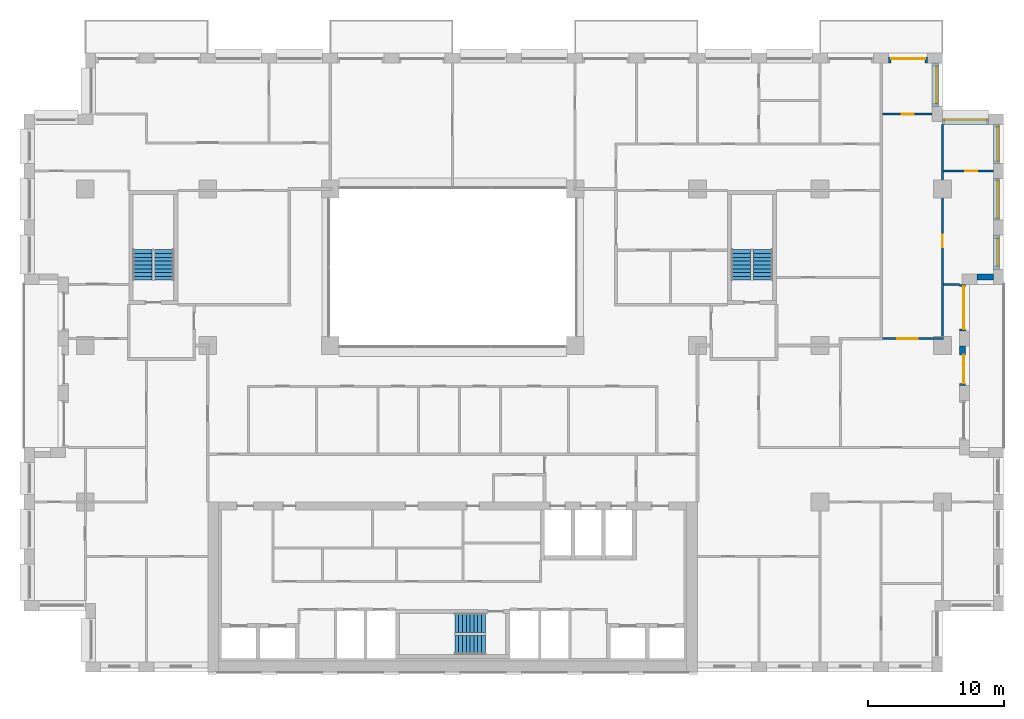
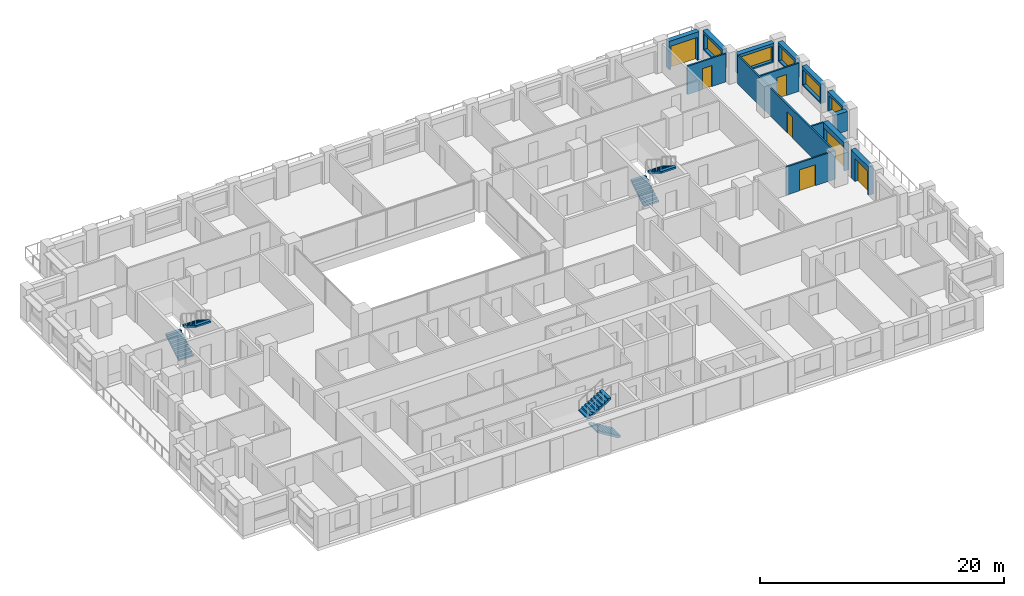
# One storey, part 15 of 16: 14 walls, 7 doors, 6 stair flights, 5 windows, 12 openings, 3 elements without a shape of their own.
"""IFC4 building model written with IfcOpenShell, lengths in metres."""

from ifc_helpers import new_model, si_unit, direction, frame, frame_2d, origin, place, context, subcontext, project, spatial, polyline, rectangle, outline, extrude, material, layer, layer_set, type_object, element, fill, aggregate, save


model = new_model("IFC4")

# Units and contexts
model_context = context("Model", 3, precision=1e-05, world=origin(), true_north=direction((0.0, 1.0)))
body_context = subcontext(model_context, "Body", "Model", "MODEL_VIEW")
ifc_project = project(units=[si_unit("LENGTHUNIT", "METRE"), si_unit("AREAUNIT", "SQUARE_METRE"), si_unit("VOLUMEUNIT", "CUBIC_METRE"), si_unit("PLANEANGLEUNIT", "RADIAN"), si_unit("MASSUNIT", "GRAM", prefix="KILO")], contexts=[model_context])

# Site, building, storey
site_placement = place(None, origin())
site = spatial("IfcSite", under=ifc_project, at=site_placement, CompositionType="ELEMENT")
building_placement = place(site_placement, origin())
building = spatial("IfcBuilding", under=site, at=building_placement, Name="Brigalow Station Residences", CompositionType="ELEMENT")
storey_placement = place(building_placement, frame((0.0, 0.0, 108.75)))
storey = spatial("IfcBuildingStorey", under=building, at=storey_placement, Name="L31", CompositionType="ELEMENT", Elevation=108.75)

# Wall, opening, door
ifc_material_1 = material(Name="Clay brick masonry", Category="masonry")
ifc_layer_1 = layer(ifc_material_1, 0.449951171875)
ifc_layer_set_1 = layer_set([ifc_layer_1], Name="BRICK INFILL WALL 450")
wall_type_1 = type_object("IfcWallType", Name="BRICK INFILL WALL 450", PredefinedType="SOLIDWALL", material=ifc_layer_set_1)
wall_1_placement = place(storey_placement, frame((73.47509765625, 21.050048828125, 0.0), z_axis=(0.0, 0.0, 1.0), x_axis=(0.0, 1.0, 0.0)))
wall_1 = element("IfcWall", 1, at=wall_1_placement, inside=storey, type_object=wall_type_1, Name="L31/ewall/W-L31-15", PredefinedType="SOLIDWALL", context=body_context, shape_type="SweptSolid", body=[
    extrude(rectangle(XDim=2.89990234375, YDim=0.449951171875, at=frame_2d((1.449951171875, 0.0))), origin(), (0.0, 0.0, 1.0), 2.830078125),
])
opening_1_placement = place(wall_1_placement, frame((0.1650390625, 0.0, 0.0)))
opening_1 = element("IfcOpeningElement", 2, at=opening_1_placement, cuts=wall_1, Name="Opening D-B2100", PredefinedType="OPENING", context=body_context, shape_type="SweptSolid", body=[
    extrude(rectangle(XDim=2.10009765625, YDim=2.300048828125, at=frame_2d((1.050048828125, 1.14990234375))), frame((0.0, 0.23486328125, 0.0), z_axis=(0.0, -1.0, 0.0), x_axis=(1.0, 0.0, 0.0)), (0.0, 0.0, 1.0), 0.469970703125),
])
ifc_material_2 = material(Name="Anodised aluminium frame with double glazing", Category="aluminium")
door_type_1 = type_object("IfcDoorType", Name="BALCONY SLIDING DOOR 2100x2300", OperationType="SLIDING_TO_LEFT", PredefinedType="DOOR", material=ifc_material_2)
door_1_placement = place(opening_1_placement, origin())
door_1 = element("IfcDoor", 3, at=door_1_placement, inside=storey, type_object=door_type_1, Name="L31/balcony-door/W-L31-15", OperationType="SLIDING_TO_LEFT", OverallHeight=2.300048828125, OverallWidth=2.10009765625, PredefinedType="DOOR", context=body_context, shape_type="SweptSolid", body=[
    extrude(rectangle(XDim=2.10009765625, YDim=2.300048828125, at=frame_2d((1.050048828125, 1.14990234375))), frame((0.0, -0.06982421875, 0.0), z_axis=(0.0, -1.0, 0.0), x_axis=(1.0, 0.0, 0.0)), (0.0, 0.0, 1.0), 0.050048828125),
])
fill(opening_1, door_1)

wall_2_placement = place(storey_placement, frame((73.47509765625, 25.050048828125, 0.0), z_axis=(0.0, 0.0, 1.0), x_axis=(0.0, 1.0, 0.0)))
wall_2 = element("IfcWall", 4, at=wall_2_placement, inside=storey, type_object=wall_type_1, Name="L31/ewall/W-L31-16", PredefinedType="SOLIDWALL", context=body_context, shape_type="SweptSolid", body=[
    extrude(rectangle(XDim=3.449951171875, YDim=0.449951171875, at=frame_2d((1.72509765625, 0.0))), origin(), (0.0, 0.0, 1.0), 2.830078125),
])
opening_2_placement = place(wall_2_placement, frame((0.14990234375, 0.0, 0.0)))
opening_2 = element("IfcOpeningElement", 5, at=opening_2_placement, cuts=wall_2, Name="Opening D-B3150", PredefinedType="OPENING", context=body_context, shape_type="SweptSolid", body=[
    extrude(rectangle(XDim=3.14990234375, YDim=2.300048828125, at=frame_2d((1.574951171875, 1.14990234375))), frame((0.0, 0.23486328125, 0.0), z_axis=(0.0, -1.0, 0.0), x_axis=(1.0, 0.0, 0.0)), (0.0, 0.0, 1.0), 0.469970703125),
])
ifc_material_3 = material(Name="Anodised aluminium frame with double glazing", Category="aluminium")
door_type_2 = type_object("IfcDoorType", Name="BALCONY SLIDING DOOR 3150x2300", OperationType="SLIDING_TO_LEFT", PredefinedType="DOOR", material=ifc_material_3)
door_2_placement = place(opening_2_placement, origin())
door_2 = element("IfcDoor", 6, at=door_2_placement, inside=storey, type_object=door_type_2, Name="L31/balcony-door/W-L31-16", OperationType="SLIDING_TO_LEFT", OverallHeight=2.300048828125, OverallWidth=3.14990234375, PredefinedType="DOOR", context=body_context, shape_type="SweptSolid", body=[
    extrude(rectangle(XDim=3.14990234375, YDim=2.300048828125, at=frame_2d((1.574951171875, 1.14990234375))), frame((0.0, -0.06982421875, 0.0), z_axis=(0.0, -1.0, 0.0), x_axis=(1.0, 0.0, 0.0)), (0.0, 0.0, 1.0), 0.050048828125),
])
fill(opening_2, door_2)

# Wall
wall_3_placement = place(storey_placement, frame((74.550048828125, 29.02490234375, 0.89990234375), z_axis=(0.0, 0.0, 1.0), x_axis=(1.0, 0.0, 0.0)))
element("IfcWall", 7, at=wall_3_placement, inside=storey, type_object=wall_type_1, Name="L31/ewall/W-L31-17", PredefinedType="SOLIDWALL", context=body_context, shape_type="SweptSolid", body=[
    extrude(rectangle(XDim=1.199951171875, YDim=0.449951171875, at=frame_2d((0.60009765625, 0.0))), origin(), (0.0, 0.0, 1.0), 1.93017578125),
])

# Wall, opening, window
wall_4_placement = place(storey_placement, frame((75.97509765625, 29.60009765625, 0.89990234375), z_axis=(0.0, 0.0, 1.0), x_axis=(0.0, 1.0, 0.0)))
wall_4 = element("IfcWall", 8, at=wall_4_placement, inside=storey, type_object=wall_type_1, Name="L31/ewall/W-L31-18", PredefinedType="SOLIDWALL", context=body_context, shape_type="SweptSolid", body=[
    extrude(rectangle(XDim=2.516845703125, YDim=0.449951171875, at=frame_2d((1.25830078125, 0.0))), origin(), (0.0, 0.0, 1.0), 1.93017578125),
])
opening_3_placement = place(wall_4_placement, frame((0.258544921875, 0.0, 0.14990234375)))
opening_3 = element("IfcOpeningElement", 9, at=opening_3_placement, cuts=wall_4, Name="Opening WT-7", PredefinedType="OPENING", context=body_context, shape_type="SweptSolid", body=[
    extrude(rectangle(XDim=2.0, YDim=1.5, at=frame_2d((1.0, 0.75))), frame((0.0, 0.23486328125, 0.0), z_axis=(0.0, -1.0, 0.0), x_axis=(1.0, 0.0, 0.0)), (0.0, 0.0, 1.0), 0.469970703125),
])
ifc_material_4 = material(Name="Anodised aluminium frame with double glazing", Category="aluminium")
window_type_1 = type_object("IfcWindowType", Name="WINDOW 2000x1500", PartitioningType="SINGLE_PANEL", PredefinedType="WINDOW", material=ifc_material_4)
window_1_placement = place(opening_3_placement, origin())
window_1 = element("IfcWindow", 10, at=window_1_placement, inside=storey, type_object=window_type_1, Name="L31/window/W-L31-18", OverallHeight=1.5, OverallWidth=2.0, PartitioningType="SINGLE_PANEL", PredefinedType="WINDOW", context=body_context, shape_type="SweptSolid", body=[
    extrude(rectangle(XDim=2.0, YDim=1.5, at=frame_2d((1.0, 0.75))), frame((0.0, -0.06494140625, 0.0), z_axis=(0.0, -1.0, 0.0), x_axis=(1.0, 0.0, 0.0)), (0.0, 0.0, 1.0), 0.06005859375),
])
fill(opening_3, window_1)

wall_5_placement = place(storey_placement, frame((75.97509765625, 33.217041015625, 0.89990234375), z_axis=(0.0, 0.0, 1.0), x_axis=(0.0, 1.0, 0.0)))
wall_5 = element("IfcWall", 11, at=wall_5_placement, inside=storey, type_object=wall_type_1, Name="L31/ewall/W-L31-19", PredefinedType="SOLIDWALL", context=body_context, shape_type="SweptSolid", body=[
    extrude(rectangle(XDim=3.06591796875, YDim=0.449951171875, at=frame_2d((1.532958984375, 0.0))), origin(), (0.0, 0.0, 1.0), 1.93017578125),
])
opening_4_placement = place(wall_5_placement, frame((0.157958984375, 0.0, 0.14990234375)))
opening_4 = element("IfcOpeningElement", 12, at=opening_4_placement, cuts=wall_5, Name="Opening WT-3", PredefinedType="OPENING", context=body_context, shape_type="SweptSolid", body=[
    extrude(rectangle(XDim=2.75, YDim=1.5, at=frame_2d((1.375, 0.75))), frame((0.0, 0.23486328125, 0.0), z_axis=(0.0, -1.0, 0.0), x_axis=(1.0, 0.0, 0.0)), (0.0, 0.0, 1.0), 0.469970703125),
])
ifc_material_5 = material(Name="Anodised aluminium frame with double glazing", Category="aluminium")
window_type_2 = type_object("IfcWindowType", Name="WINDOW 2750x1500", PartitioningType="SINGLE_PANEL", PredefinedType="WINDOW", material=ifc_material_5)
window_2_placement = place(opening_4_placement, origin())
window_2 = element("IfcWindow", 13, at=window_2_placement, inside=storey, type_object=window_type_2, Name="L31/window/W-L31-19", OverallHeight=1.5, OverallWidth=2.75, PartitioningType="SINGLE_PANEL", PredefinedType="WINDOW", context=body_context, shape_type="SweptSolid", body=[
    extrude(rectangle(XDim=2.75, YDim=1.5, at=frame_2d((1.375, 0.75))), frame((0.0, -0.06494140625, 0.0), z_axis=(0.0, -1.0, 0.0), x_axis=(1.0, 0.0, 0.0)), (0.0, 0.0, 1.0), 0.06005859375),
])
fill(opening_4, window_2)

wall_6_placement = place(storey_placement, frame((75.97509765625, 37.383056640625, 0.89990234375), z_axis=(0.0, 0.0, 1.0), x_axis=(0.0, 1.0, 0.0)))
wall_6 = element("IfcWall", 14, at=wall_6_placement, inside=storey, type_object=wall_type_1, Name="L31/ewall/W-L31-20", PredefinedType="SOLIDWALL", context=body_context, shape_type="SweptSolid", body=[
    extrude(rectangle(XDim=2.866943359375, YDim=0.449951171875, at=frame_2d((1.43359375, 0.0))), origin(), (0.0, 0.0, 1.0), 1.93017578125),
])
opening_5_placement = place(wall_6_placement, frame((0.18359375, 0.0, 0.14990234375)))
opening_5 = element("IfcOpeningElement", 15, at=opening_5_placement, cuts=wall_6, Name="Opening WT-5", PredefinedType="OPENING", context=body_context, shape_type="SweptSolid", body=[
    extrude(rectangle(XDim=2.5, YDim=1.5, at=frame_2d((1.25, 0.75))), frame((0.0, 0.23486328125, 0.0), z_axis=(0.0, -1.0, 0.0), x_axis=(1.0, 0.0, 0.0)), (0.0, 0.0, 1.0), 0.469970703125),
])
ifc_material_6 = material(Name="Anodised aluminium frame with double glazing", Category="aluminium")
window_type_3 = type_object("IfcWindowType", Name="WINDOW 2500x1500", PartitioningType="SINGLE_PANEL", PredefinedType="WINDOW", material=ifc_material_6)
window_3_placement = place(opening_5_placement, origin())
window_3 = element("IfcWindow", 16, at=window_3_placement, inside=storey, type_object=window_type_3, Name="L31/window/W-L31-20", OverallHeight=1.5, OverallWidth=2.5, PartitioningType="SINGLE_PANEL", PredefinedType="WINDOW", context=body_context, shape_type="SweptSolid", body=[
    extrude(rectangle(XDim=2.5, YDim=1.5, at=frame_2d((1.25, 0.75))), frame((0.0, -0.06494140625, 0.0), z_axis=(0.0, -1.0, 0.0), x_axis=(1.0, 0.0, 0.0)), (0.0, 0.0, 1.0), 0.06005859375),
])
fill(opening_5, window_3)

wall_7_placement = place(storey_placement, frame((75.39990234375, 40.47509765625, 0.89990234375), z_axis=(0.0, 0.0, 1.0), x_axis=(-1.0, 0.0, 0.0)))
wall_7 = element("IfcWall", 17, at=wall_7_placement, inside=storey, type_object=wall_type_1, Name="L31/ewall/W-L31-21", PredefinedType="SOLIDWALL", context=body_context, shape_type="SweptSolid", body=[
    extrude(rectangle(XDim=3.39990234375, YDim=0.449951171875, at=frame_2d((1.699951171875, 0.0))), origin(), (0.0, 0.0, 1.0), 1.93017578125),
])
opening_6_placement = place(wall_7_placement, frame((0.14990234375, 0.0, 0.14990234375)))
opening_6 = element("IfcOpeningElement", 18, at=opening_6_placement, cuts=wall_7, Name="Opening WT-8", PredefinedType="OPENING", context=body_context, shape_type="SweptSolid", body=[
    extrude(rectangle(XDim=3.10009765625, YDim=1.5, at=frame_2d((1.550048828125, 0.75))), frame((0.0, 0.23486328125, 0.0), z_axis=(0.0, -1.0, 0.0), x_axis=(1.0, 0.0, 0.0)), (0.0, 0.0, 1.0), 0.469970703125),
])
ifc_material_7 = material(Name="Anodised aluminium frame with double glazing", Category="aluminium")
window_type_4 = type_object("IfcWindowType", Name="WINDOW 3100x1500", PartitioningType="SINGLE_PANEL", PredefinedType="WINDOW", material=ifc_material_7)
window_4_placement = place(opening_6_placement, origin())
window_4 = element("IfcWindow", 19, at=window_4_placement, inside=storey, type_object=window_type_4, Name="L31/window/W-L31-21", OverallHeight=1.5, OverallWidth=3.10009765625, PartitioningType="SINGLE_PANEL", PredefinedType="WINDOW", context=body_context, shape_type="SweptSolid", body=[
    extrude(rectangle(XDim=3.10009765625, YDim=1.5, at=frame_2d((1.550048828125, 0.75))), frame((0.0, -0.06494140625, 0.0), z_axis=(0.0, -1.0, 0.0), x_axis=(1.0, 0.0, 0.0)), (0.0, 0.0, 1.0), 0.06005859375),
])
fill(opening_6, window_4)

wall_8_placement = place(storey_placement, frame((71.47509765625, 41.550048828125, 0.89990234375), z_axis=(0.0, 0.0, 1.0), x_axis=(0.0, 1.0, 0.0)))
wall_8 = element("IfcWall", 20, at=wall_8_placement, inside=storey, type_object=wall_type_1, Name="L31/ewall/W-L31-22", PredefinedType="SOLIDWALL", context=body_context, shape_type="SweptSolid", body=[
    extrude(rectangle(XDim=3.199951171875, YDim=0.449951171875, at=frame_2d((1.60009765625, 0.0))), origin(), (0.0, 0.0, 1.0), 1.93017578125),
])
opening_7_placement = place(wall_8_placement, frame((0.22509765625, 0.0, 0.14990234375)))
opening_7 = element("IfcOpeningElement", 21, at=opening_7_placement, cuts=wall_8, Name="Opening WT-3", PredefinedType="OPENING", context=body_context, shape_type="SweptSolid", body=[
    extrude(rectangle(XDim=2.75, YDim=1.5, at=frame_2d((1.375, 0.75))), frame((0.0, 0.23486328125, 0.0), z_axis=(0.0, -1.0, 0.0), x_axis=(1.0, 0.0, 0.0)), (0.0, 0.0, 1.0), 0.469970703125),
])
window_5_placement = place(opening_7_placement, origin())
window_5 = element("IfcWindow", 22, at=window_5_placement, inside=storey, type_object=window_type_2, Name="L31/window/W-L31-22", OverallHeight=1.5, OverallWidth=2.75, PartitioningType="SINGLE_PANEL", PredefinedType="WINDOW", context=body_context, shape_type="SweptSolid", body=[
    extrude(rectangle(XDim=2.75, YDim=1.5, at=frame_2d((1.375, 0.75))), frame((0.0, -0.06494140625, 0.0), z_axis=(0.0, -1.0, 0.0), x_axis=(1.0, 0.0, 0.0)), (0.0, 0.0, 1.0), 0.06005859375),
])
fill(opening_7, window_5)

# Wall, opening, door
wall_9_placement = place(storey_placement, frame((70.89990234375, 44.97509765625, 0.0), z_axis=(0.0, 0.0, 1.0), x_axis=(-1.0, 0.0, 0.0)))
wall_9 = element("IfcWall", 23, at=wall_9_placement, inside=storey, type_object=wall_type_1, Name="L31/ewall/W-L31-23", PredefinedType="SOLIDWALL", context=body_context, shape_type="SweptSolid", body=[
    extrude(rectangle(XDim=2.849853515625, YDim=0.449951171875, at=frame_2d((1.4248046875, 0.0))), origin(), (0.0, 0.0, 1.0), 2.830078125),
])
opening_8_placement = place(wall_9_placement, frame((0.175048828125, 0.0, 0.0)))
opening_8 = element("IfcOpeningElement", 24, at=opening_8_placement, cuts=wall_9, Name="Opening D-B2500", PredefinedType="OPENING", context=body_context, shape_type="SweptSolid", body=[
    extrude(rectangle(XDim=2.5, YDim=2.300048828125, at=frame_2d((1.25, 1.14990234375))), frame((0.0, 0.23486328125, 0.0), z_axis=(0.0, -1.0, 0.0), x_axis=(1.0, 0.0, 0.0)), (0.0, 0.0, 1.0), 0.469970703125),
])
ifc_material_8 = material(Name="Anodised aluminium frame with double glazing", Category="aluminium")
door_type_3 = type_object("IfcDoorType", Name="BALCONY SLIDING DOOR 2500x2300", OperationType="SLIDING_TO_LEFT", PredefinedType="DOOR", material=ifc_material_8)
door_3_placement = place(opening_8_placement, origin())
door_3 = element("IfcDoor", 25, at=door_3_placement, inside=storey, type_object=door_type_3, Name="L31/balcony-door/W-L31-23", OperationType="SLIDING_TO_LEFT", OverallHeight=2.300048828125, OverallWidth=2.5, PredefinedType="DOOR", context=body_context, shape_type="SweptSolid", body=[
    extrude(rectangle(XDim=2.5, YDim=2.300048828125, at=frame_2d((1.25, 1.14990234375))), frame((0.0, -0.06982421875, 0.0), z_axis=(0.0, -1.0, 0.0), x_axis=(1.0, 0.0, 0.0)), (0.0, 0.0, 1.0), 0.050048828125),
])
fill(opening_8, door_3)

ifc_material_9 = material(Name="Plasterboard on steel stud partition", Category="steel")
ifc_layer_2 = layer(ifc_material_9, 0.14990234375)
ifc_layer_set_2 = layer_set([ifc_layer_2], Name="FLAT PARTITION 150")
wall_type_2 = type_object("IfcWallType", Name="FLAT PARTITION 150", PredefinedType="PARTITIONING", material=ifc_layer_set_2)
wall_10_placement = place(storey_placement, frame((67.39990234375, 24.5, 0.0), z_axis=(0.0, 0.0, 1.0), x_axis=(1.0, 0.0, 0.0)))
wall_10 = element("IfcWall", 26, at=wall_10_placement, inside=storey, type_object=wall_type_2, Name="PW-2C18", PredefinedType="PARTITIONING", context=body_context, shape_type="SweptSolid", body=[
    extrude(rectangle(XDim=4.675048828125, YDim=0.14990234375, at=frame_2d((2.33740234375, 0.0))), origin(), (0.0, 0.0, 1.0), 2.830078125),
])
opening_9_placement = place(wall_10_placement, frame((1.27490234375, 0.0, 0.0)))
opening_9 = element("IfcOpeningElement", 27, at=opening_9_placement, cuts=wall_10, Name="Opening D-2C41", PredefinedType="OPENING", context=body_context, shape_type="SweptSolid", body=[
    extrude(rectangle(XDim=1.5, YDim=2.10009765625, at=frame_2d((0.75, 1.050048828125))), frame((0.0, 0.0849609375, 0.0), z_axis=(0.0, -1.0, 0.0), x_axis=(1.0, 0.0, 0.0)), (0.0, 0.0, 1.0), 0.169921875),
])
ifc_material_10 = material(Name="Solid-core timber door leaf", Category="wood")
door_type_4 = type_object("IfcDoorType", Name="INTERNAL DOUBLE DOOR 1500 x 2100", OperationType="DOUBLE_DOOR_SINGLE_SWING", PredefinedType="DOOR", material=ifc_material_10)
door_4_placement = place(opening_9_placement, origin())
door_4 = element("IfcDoor", 28, at=door_4_placement, inside=storey, type_object=door_type_4, Name="D-2C41", OperationType="DOUBLE_DOOR_SINGLE_SWING", OverallHeight=2.10009765625, OverallWidth=1.5, PredefinedType="DOOR", context=body_context, shape_type="SweptSolid", body=[
    extrude(rectangle(XDim=1.5, YDim=2.10009765625, at=frame_2d((0.75, 1.050048828125))), frame((0.0, 0.02490234375, 0.0), z_axis=(0.0, -1.0, 0.0), x_axis=(1.0, 0.0, 0.0)), (0.0, 0.0, 1.0), 0.050048828125),
])
fill(opening_9, door_4)

# Wall
wall_11_placement = place(storey_placement, frame((72.074951171875, 28.5, 0.0), z_axis=(0.0, 0.0, 1.0), x_axis=(1.0, 0.0, 0.0)))
element("IfcWall", 29, at=wall_11_placement, inside=storey, type_object=wall_type_2, Name="PW-2C21", PredefinedType="PARTITIONING", context=body_context, shape_type="SweptSolid", body=[
    extrude(rectangle(XDim=1.175048828125, YDim=0.14990234375, at=frame_2d((0.58740234375, 0.0))), origin(), (0.0, 0.0, 1.0), 2.830078125),
])

# Wall, opening, door
wall_12_placement = place(storey_placement, frame((72.074951171875, 36.8330078125, 0.0), z_axis=(0.0, 0.0, 1.0), x_axis=(1.0, 0.0, 0.0)))
wall_12 = element("IfcWall", 30, at=wall_12_placement, inside=storey, type_object=wall_type_2, Name="PW-2C23", PredefinedType="PARTITIONING", context=body_context, shape_type="SweptSolid", body=[
    extrude(rectangle(XDim=3.675048828125, YDim=0.14990234375, at=frame_2d((1.83740234375, 0.0))), origin(), (0.0, 0.0, 1.0), 2.830078125),
])
opening_10_placement = place(wall_12_placement, frame((1.60009765625, 0.0, 0.0)))
opening_10 = element("IfcOpeningElement", 31, at=opening_10_placement, cuts=wall_12, Name="Opening D-2C43", PredefinedType="OPENING", context=body_context, shape_type="SweptSolid", body=[
    extrude(rectangle(XDim=0.89990234375, YDim=2.10009765625, at=frame_2d((0.449951171875, 1.050048828125))), frame((0.0, 0.0849609375, 0.0), z_axis=(0.0, -1.0, 0.0), x_axis=(1.0, 0.0, 0.0)), (0.0, 0.0, 1.0), 0.169921875),
])
ifc_material_11 = material(Name="Solid-core timber door leaf", Category="wood")
door_type_5 = type_object("IfcDoorType", Name="INTERNAL DOOR 900 x 2100", OperationType="SINGLE_SWING_LEFT", PredefinedType="DOOR", material=ifc_material_11)
door_5_placement = place(opening_10_placement, origin())
door_5 = element("IfcDoor", 32, at=door_5_placement, inside=storey, type_object=door_type_5, Name="D-2C43", OperationType="SINGLE_SWING_RIGHT", OverallHeight=2.10009765625, OverallWidth=0.89990234375, PredefinedType="DOOR", context=body_context, shape_type="SweptSolid", body=[
    extrude(rectangle(XDim=0.89990234375, YDim=2.10009765625, at=frame_2d((0.449951171875, 1.050048828125))), frame((0.0, 0.02490234375, 0.0), z_axis=(0.0, -1.0, 0.0), x_axis=(1.0, 0.0, 0.0)), (0.0, 0.0, 1.0), 0.050048828125),
])
fill(opening_10, door_5)

wall_13_placement = place(storey_placement, frame((67.60009765625, 41.0, 0.0), z_axis=(0.0, 0.0, 1.0), x_axis=(1.0, 0.0, 0.0)))
wall_13 = element("IfcWall", 33, at=wall_13_placement, inside=storey, type_object=wall_type_2, Name="PW-2C29", PredefinedType="PARTITIONING", context=body_context, shape_type="SweptSolid", body=[
    extrude(rectangle(XDim=3.64990234375, YDim=0.14990234375, at=frame_2d((1.824951171875, 0.0))), origin(), (0.0, 0.0, 1.0), 2.830078125),
])
opening_11_placement = place(wall_13_placement, frame((1.39990234375, 0.0, 0.0)))
opening_11 = element("IfcOpeningElement", 34, at=opening_11_placement, cuts=wall_13, Name="Opening D-2C44", PredefinedType="OPENING", context=body_context, shape_type="SweptSolid", body=[
    extrude(rectangle(XDim=0.89990234375, YDim=2.10009765625, at=frame_2d((0.449951171875, 1.050048828125))), frame((0.0, 0.0849609375, 0.0), z_axis=(0.0, -1.0, 0.0), x_axis=(1.0, 0.0, 0.0)), (0.0, 0.0, 1.0), 0.169921875),
])
door_6_placement = place(opening_11_placement, origin())
door_6 = element("IfcDoor", 35, at=door_6_placement, inside=storey, type_object=door_type_5, Name="D-2C44", OperationType="SINGLE_SWING_RIGHT", OverallHeight=2.10009765625, OverallWidth=0.89990234375, PredefinedType="DOOR", context=body_context, shape_type="SweptSolid", body=[
    extrude(rectangle(XDim=0.89990234375, YDim=2.10009765625, at=frame_2d((0.449951171875, 1.050048828125))), frame((0.0, 0.02490234375, 0.0), z_axis=(0.0, -1.0, 0.0), x_axis=(1.0, 0.0, 0.0)), (0.0, 0.0, 1.0), 0.050048828125),
])
fill(opening_11, door_6)

wall_14_placement = place(storey_placement, frame((72.0, 24.574951171875, 0.0), z_axis=(0.0, 0.0, 1.0), x_axis=(0.0, 1.0, 0.0)))
wall_14 = element("IfcWall", 36, at=wall_14_placement, inside=storey, type_object=wall_type_2, Name="PW-2C66", PredefinedType="PARTITIONING", context=body_context, shape_type="SweptSolid", body=[
    extrude(rectangle(XDim=15.675048828125, YDim=0.14990234375, at=frame_2d((7.83740234375, 0.0))), origin(), (0.0, 0.0, 1.0), 2.830078125),
])
opening_12_placement = place(wall_14_placement, frame((6.64990234375, 0.0, 0.0)))
opening_12 = element("IfcOpeningElement", 37, at=opening_12_placement, cuts=wall_14, Name="Opening D-2C42", PredefinedType="OPENING", context=body_context, shape_type="SweptSolid", body=[
    extrude(rectangle(XDim=0.89990234375, YDim=2.10009765625, at=frame_2d((0.449951171875, 1.050048828125))), frame((0.0, 0.0849609375, 0.0), z_axis=(0.0, -1.0, 0.0), x_axis=(1.0, 0.0, 0.0)), (0.0, 0.0, 1.0), 0.169921875),
])
door_7_placement = place(opening_12_placement, frame((0.89990234375, 0.0, 0.0), z_axis=(0.0, 0.0, 1.0), x_axis=(-1.0, 0.0, 0.0)))
door_7 = element("IfcDoor", 38, at=door_7_placement, inside=storey, type_object=door_type_5, Name="D-2C42", OperationType="SINGLE_SWING_RIGHT", OverallHeight=2.10009765625, OverallWidth=0.89990234375, PredefinedType="DOOR", context=body_context, shape_type="SweptSolid", body=[
    extrude(rectangle(XDim=0.89990234375, YDim=2.10009765625, at=frame_2d((0.449951171875, 1.050048828125))), frame((0.0, 0.02490234375, 0.0), z_axis=(0.0, -1.0, 0.0), x_axis=(1.0, 0.0, 0.0)), (0.0, 0.0, 1.0), 0.050048828125),
])
fill(opening_12, door_7)

# Stair, stair flights
ifc_material_12 = material(Name="Concrete C50", Category="concrete")
stair_type = type_object("IfcStairType", Name="EXIT STAIR 1400 2 FLIGHT", PredefinedType="HALF_TURN_STAIR", material=ifc_material_12)
stair_1_placement = place(storey_placement, origin())
stair_1 = element("IfcStair", 39, at=stair_1_placement, inside=storey, type_object=stair_type, Name="EXIT STAIR S2 L31", PredefinedType="HALF_TURN_STAIR")
ifc_material_13 = material(Name="Concrete C50", Category="concrete")
stair_flight_type = type_object("IfcStairFlightType", Name="STAIR FLIGHT 1400", PredefinedType="STRAIGHT", material=ifc_material_13)
stair_flight_1_placement = place(storey_placement, frame((38.39990234375, 2.0, 0.0), z_axis=(0.0, 0.0, 1.0), x_axis=(-1.0, 0.0, 0.0)))
stair_flight_1 = element("IfcStairFlight", 40, at=stair_flight_1_placement, type_object=stair_flight_type, Name="ST-2 flight 1", NumberOfRisers=9, NumberOfTreads=8, PredefinedType="STRAIGHT", RiserHeight=0.175, TreadLength=0.28, context=body_context, shape_type="SweptSolid", body=[
    extrude(outline(polyline([(0.0, 0.0), (0.0, 0.175048828125), (0.280029296875, 0.175048828125), (0.280029296875, 0.35009765625), (0.56005859375, 0.35009765625), (0.56005859375, 0.52490234375), (0.840087890625, 0.52490234375), (0.840087890625, 0.699951171875), (1.1201171875, 0.699951171875), (1.1201171875, 0.875), (1.39990234375, 0.875), (1.39990234375, 1.050048828125), (1.679931640625, 1.050048828125), (1.679931640625, 1.22509765625), (1.9599609375, 1.22509765625), (1.9599609375, 1.39990234375), (2.239990234375, 1.39990234375), (2.239990234375, 1.574951171875), (2.239990234375, 1.22314453125), (0.28271484375, 0.0), (0.0, 0.0)])), frame((0.0, 0.699951171875, 0.0), z_axis=(0.0, -1.0, 0.0), x_axis=(1.0, 0.0, 0.0)), (0.0, 0.0, 1.0), 1.39990234375),
])
stair_flight_2_placement = place(storey_placement, frame((36.159912109375, 3.60009765625, 1.574951171875), z_axis=(0.0, 0.0, 1.0), x_axis=(1.0, 0.0, 0.0)))
stair_flight_2 = element("IfcStairFlight", 41, at=stair_flight_2_placement, type_object=stair_flight_type, Name="ST-2 flight 2", NumberOfRisers=9, NumberOfTreads=8, PredefinedType="STRAIGHT", RiserHeight=0.175, TreadLength=0.28, context=body_context, shape_type="SweptSolid", body=[
    extrude(outline(polyline([(0.0, 0.0), (0.0, 0.175048828125), (0.280029296875, 0.175048828125), (0.280029296875, 0.35009765625), (0.56005859375, 0.35009765625), (0.56005859375, 0.52490234375), (0.840087890625, 0.52490234375), (0.840087890625, 0.699951171875), (1.1201171875, 0.699951171875), (1.1201171875, 0.875), (1.39990234375, 0.875), (1.39990234375, 1.050048828125), (1.679931640625, 1.050048828125), (1.679931640625, 1.22509765625), (1.9599609375, 1.22509765625), (1.9599609375, 1.39990234375), (2.239990234375, 1.39990234375), (2.239990234375, 1.574951171875), (2.239990234375, 1.22314453125), (0.28271484375, 0.0), (0.0, 0.0)])), frame((0.0, 0.699951171875, 0.0), z_axis=(0.0, -1.0, 0.0), x_axis=(1.0, 0.0, 0.0)), (0.0, 0.0, 1.0), 1.39990234375),
])
aggregate(stair_1, [stair_flight_1, stair_flight_2])

stair_2_placement = place(storey_placement, origin())
stair_2 = element("IfcStair", 42, at=stair_2_placement, inside=storey, type_object=stair_type, Name="EXIT STAIR S1 L31", PredefinedType="HALF_TURN_STAIR")
stair_flight_3_placement = place(storey_placement, frame((13.199951171875, 28.800048828125, 0.0), z_axis=(0.0, 0.0, 1.0), x_axis=(0.0, 1.0, 0.0)))
stair_flight_3 = element("IfcStairFlight", 43, at=stair_flight_3_placement, type_object=stair_flight_type, Name="ST-1 flight 1", NumberOfRisers=9, NumberOfTreads=8, PredefinedType="STRAIGHT", RiserHeight=0.175, TreadLength=0.28, context=body_context, shape_type="SweptSolid", body=[
    extrude(outline(polyline([(0.0, 0.0), (0.0, 0.175048828125), (0.280029296875, 0.175048828125), (0.280029296875, 0.35009765625), (0.56005859375, 0.35009765625), (0.56005859375, 0.52490234375), (0.840087890625, 0.52490234375), (0.840087890625, 0.699951171875), (1.1201171875, 0.699951171875), (1.1201171875, 0.875), (1.39990234375, 0.875), (1.39990234375, 1.050048828125), (1.679931640625, 1.050048828125), (1.679931640625, 1.22509765625), (1.9599609375, 1.22509765625), (1.9599609375, 1.39990234375), (2.239990234375, 1.39990234375), (2.239990234375, 1.574951171875), (2.239990234375, 1.22314453125), (0.28271484375, 0.0), (0.0, 0.0)])), frame((0.0, 0.699951171875, 0.0), z_axis=(0.0, -1.0, 0.0), x_axis=(1.0, 0.0, 0.0)), (0.0, 0.0, 1.0), 1.39990234375),
])
stair_flight_4_placement = place(storey_placement, frame((14.800048828125, 31.0400390625, 1.574951171875), z_axis=(0.0, 0.0, 1.0), x_axis=(0.0, -1.0, 0.0)))
stair_flight_4 = element("IfcStairFlight", 44, at=stair_flight_4_placement, type_object=stair_flight_type, Name="ST-1 flight 2", NumberOfRisers=9, NumberOfTreads=8, PredefinedType="STRAIGHT", RiserHeight=0.175, TreadLength=0.28, context=body_context, shape_type="SweptSolid", body=[
    extrude(outline(polyline([(0.0, 0.0), (0.0, 0.175048828125), (0.280029296875, 0.175048828125), (0.280029296875, 0.35009765625), (0.56005859375, 0.35009765625), (0.56005859375, 0.52490234375), (0.840087890625, 0.52490234375), (0.840087890625, 0.699951171875), (1.1201171875, 0.699951171875), (1.1201171875, 0.875), (1.39990234375, 0.875), (1.39990234375, 1.050048828125), (1.679931640625, 1.050048828125), (1.679931640625, 1.22509765625), (1.9599609375, 1.22509765625), (1.9599609375, 1.39990234375), (2.239990234375, 1.39990234375), (2.239990234375, 1.574951171875), (2.239990234375, 1.22314453125), (0.28271484375, 0.0), (0.0, 0.0)])), frame((0.0, 0.699951171875, 0.0), z_axis=(0.0, -1.0, 0.0), x_axis=(1.0, 0.0, 0.0)), (0.0, 0.0, 1.0), 1.39990234375),
])
aggregate(stair_2, [stair_flight_3, stair_flight_4])

stair_3_placement = place(storey_placement, origin())
stair_3 = element("IfcStair", 45, at=stair_3_placement, inside=storey, type_object=stair_type, Name="EXIT STAIR S3 L31", PredefinedType="HALF_TURN_STAIR")
stair_flight_5_placement = place(storey_placement, frame((57.199951171875, 28.800048828125, 0.0), z_axis=(0.0, 0.0, 1.0), x_axis=(0.0, 1.0, 0.0)))
stair_flight_5 = element("IfcStairFlight", 46, at=stair_flight_5_placement, type_object=stair_flight_type, Name="ST-3 flight 1", NumberOfRisers=9, NumberOfTreads=8, PredefinedType="STRAIGHT", RiserHeight=0.175, TreadLength=0.28, context=body_context, shape_type="SweptSolid", body=[
    extrude(outline(polyline([(0.0, 0.0), (0.0, 0.175048828125), (0.280029296875, 0.175048828125), (0.280029296875, 0.35009765625), (0.56005859375, 0.35009765625), (0.56005859375, 0.52490234375), (0.840087890625, 0.52490234375), (0.840087890625, 0.699951171875), (1.1201171875, 0.699951171875), (1.1201171875, 0.875), (1.39990234375, 0.875), (1.39990234375, 1.050048828125), (1.679931640625, 1.050048828125), (1.679931640625, 1.22509765625), (1.9599609375, 1.22509765625), (1.9599609375, 1.39990234375), (2.239990234375, 1.39990234375), (2.239990234375, 1.574951171875), (2.239990234375, 1.22314453125), (0.28271484375, 0.0), (0.0, 0.0)])), frame((0.0, 0.699951171875, 0.0), z_axis=(0.0, -1.0, 0.0), x_axis=(1.0, 0.0, 0.0)), (0.0, 0.0, 1.0), 1.39990234375),
])
stair_flight_6_placement = place(storey_placement, frame((58.800048828125, 31.0400390625, 1.574951171875), z_axis=(0.0, 0.0, 1.0), x_axis=(0.0, -1.0, 0.0)))
stair_flight_6 = element("IfcStairFlight", 47, at=stair_flight_6_placement, type_object=stair_flight_type, Name="ST-3 flight 2", NumberOfRisers=9, NumberOfTreads=8, PredefinedType="STRAIGHT", RiserHeight=0.175, TreadLength=0.28, context=body_context, shape_type="SweptSolid", body=[
    extrude(outline(polyline([(0.0, 0.0), (0.0, 0.175048828125), (0.280029296875, 0.175048828125), (0.280029296875, 0.35009765625), (0.56005859375, 0.35009765625), (0.56005859375, 0.52490234375), (0.840087890625, 0.52490234375), (0.840087890625, 0.699951171875), (1.1201171875, 0.699951171875), (1.1201171875, 0.875), (1.39990234375, 0.875), (1.39990234375, 1.050048828125), (1.679931640625, 1.050048828125), (1.679931640625, 1.22509765625), (1.9599609375, 1.22509765625), (1.9599609375, 1.39990234375), (2.239990234375, 1.39990234375), (2.239990234375, 1.574951171875), (2.239990234375, 1.22314453125), (0.28271484375, 0.0), (0.0, 0.0)])), frame((0.0, 0.699951171875, 0.0), z_axis=(0.0, -1.0, 0.0), x_axis=(1.0, 0.0, 0.0)), (0.0, 0.0, 1.0), 1.39990234375),
])
aggregate(stair_3, [stair_flight_5, stair_flight_6])

save(model, "model.ifc")
